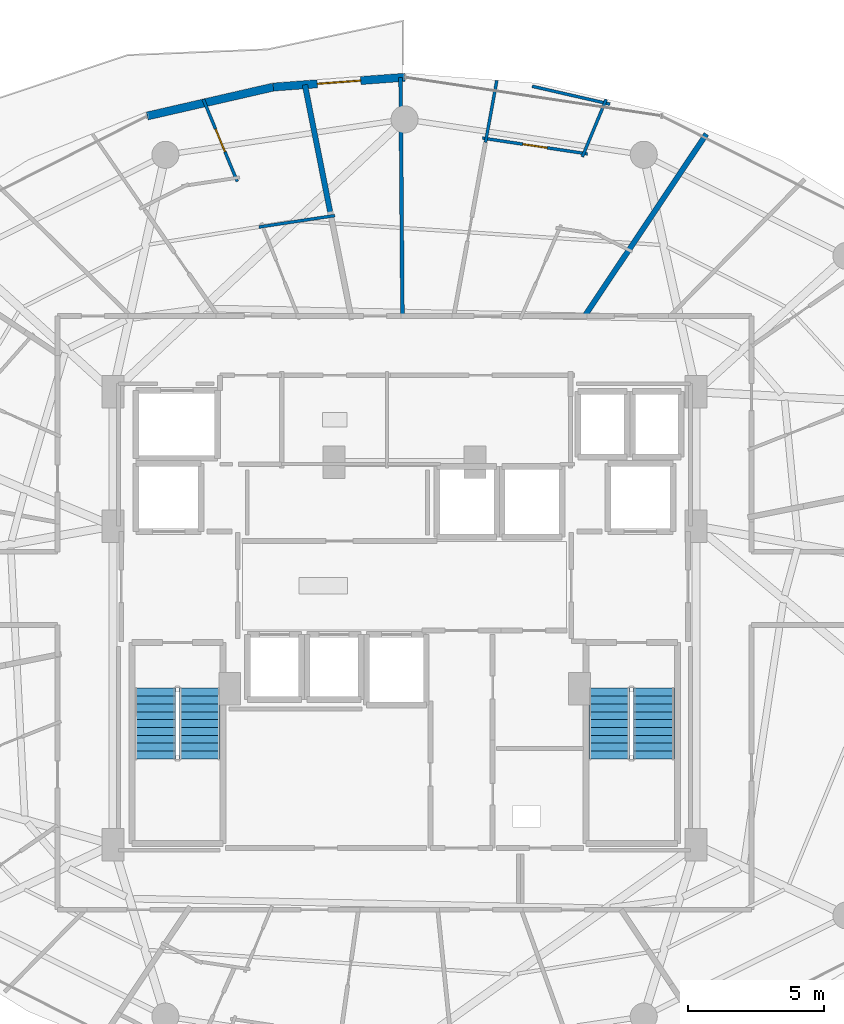
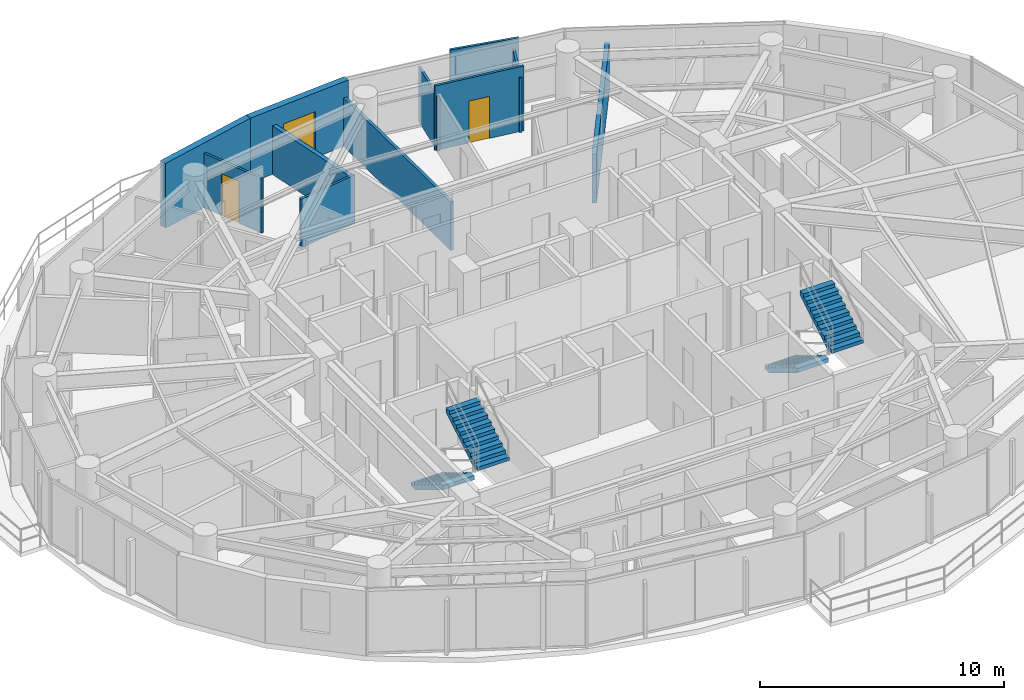
# One storey, part 25 of 29: 11 walls, 4 stair flights, 3 doors, 3 openings, 2 elements without a shape of their own.
"""IFC4 building model written with IfcOpenShell, lengths in metres."""

from ifc_helpers import new_model, si_unit, direction, frame, frame_2d, origin, place, context, subcontext, project, spatial, polyline, rectangle, outline, extrude, material, layer, layer_set, type_object, element, fill, aggregate, save


model = new_model("IFC4")

# Units and contexts
model_context = context("Model", 3, precision=1e-05, world=origin(), true_north=direction((0.0, 1.0)))
body_context = subcontext(model_context, "Body", "Model", "MODEL_VIEW")
ifc_project = project(units=[si_unit("LENGTHUNIT", "METRE"), si_unit("AREAUNIT", "SQUARE_METRE"), si_unit("VOLUMEUNIT", "CUBIC_METRE"), si_unit("PLANEANGLEUNIT", "RADIAN"), si_unit("MASSUNIT", "GRAM", prefix="KILO")], contexts=[model_context])

# Site, building, storey
site_placement = place(None, origin())
site = spatial("IfcSite", under=ifc_project, at=site_placement, CompositionType="ELEMENT")
building_placement = place(site_placement, origin())
building = spatial("IfcBuilding", under=site, at=building_placement, Name="Vorneva Point Tower", CompositionType="ELEMENT")
storey_placement = place(building_placement, frame((0.0, 0.0, 150.10009765625)))
storey = spatial("IfcBuildingStorey", under=building, at=storey_placement, Name="L40", CompositionType="ELEMENT", Elevation=150.10009765625)

# Wall, opening, door
ifc_material_1 = material(Name="Precast concrete B50 (C40/50)", Category="concrete")
ifc_layer_1 = layer(ifc_material_1, 0.300048828125)
ifc_layer_set_1 = layer_set([ifc_layer_1], Name="Precast concrete B50 (C40/50)")
wall_type_1 = type_object("IfcWallType", Name="WL-EXT-300", PredefinedType="STANDARD", material=ifc_layer_set_1)
wall_1_placement = place(storey_placement, frame((38.0, 44.75, 0.0), z_axis=(0.0, 0.0, 1.0), x_axis=(-0.997237740067, -0.074275768499, 0.0)))
wall_1 = element("IfcWall", 1, at=wall_1_placement, inside=storey, type_object=wall_type_1, Name="L40 Pale-Metal Facade Spandrel Wall 05.1", PredefinedType="STANDARD", context=body_context, shape_type="SweptSolid", body=[
    extrude(rectangle(XDim=4.8515625, YDim=0.300048828125, at=frame_2d((2.42578125, 0.0))), origin(), (0.0, 0.0, 1.0), 3.239990234375),
])
opening_1_placement = place(wall_1_placement, frame((1.625732421875, 0.0, 0.0)))
opening_1 = element("IfcOpeningElement", 2, at=opening_1_placement, cuts=wall_1, Name="Opening BD-01", PredefinedType="OPENING", context=body_context, shape_type="SweptSolid", body=[
    extrude(rectangle(XDim=1.60009765625, YDim=2.300048828125, at=frame_2d((0.800048828125, 1.14990234375))), frame((0.0, 0.1650390625, 0.0), z_axis=(0.0, -1.0, 0.0), x_axis=(1.0, 0.0, 0.0)), (0.0, 0.0, 1.0), 0.329833984375),
])
ifc_material_2 = material(Name="Pale anodised aluminium", Category="aluminium")
door_type_1 = type_object("IfcDoorType", Name="DR-BAL-1600", OperationType="SLIDING_TO_LEFT", PredefinedType="DOOR", material=ifc_material_2)
door_1_placement = place(opening_1_placement, origin())
door_1 = element("IfcDoor", 3, at=door_1_placement, inside=storey, type_object=door_type_1, Name="L40 Balcony Terrace Access Door 05", OperationType="SLIDING_TO_LEFT", OverallHeight=2.300048828125, OverallWidth=1.60009765625, PredefinedType="DOOR", context=body_context, shape_type="SweptSolid", body=[
    extrude(rectangle(XDim=1.60009765625, YDim=2.300048828125, at=frame_2d((0.800048828125, 1.14990234375))), frame((0.0, 0.02490234375, 0.0), z_axis=(0.0, -1.0, 0.0), x_axis=(1.0, 0.0, 0.0)), (0.0, 0.0, 1.0), 0.050048828125),
])
fill(opening_1, door_1)

# Walls
wall_2_placement = place(storey_placement, frame((33.161865234375, 44.3896484375, 0.0), z_axis=(0.0, 0.0, 1.0), x_axis=(-0.974698897188, -0.223521944832, 0.0)))
element("IfcWall", 4, at=wall_2_placement, inside=storey, type_object=wall_type_1, Name="L40 Pale-Metal Facade Spandrel Wall 05.2", PredefinedType="STANDARD", context=body_context, shape_type="SweptSolid", body=[
    extrude(rectangle(XDim=4.773193359375, YDim=0.300048828125, at=frame_2d((2.38671875, 0.0))), origin(), (0.0, 0.0, 1.0), 3.239990234375),
])
ifc_material_3 = material(Name="Fire-rated acoustic gypsum stud partition", Category="gypsum")
ifc_layer_2 = layer(ifc_material_3, 0.110107421875)
ifc_layer_set_2 = layer_set([ifc_layer_2], Name="Fire-rated acoustic gypsum stud partition")
wall_type_2 = type_object("IfcWallType", Name="WL-PART-110", PredefinedType="PARTITIONING", material=ifc_layer_set_2)
wall_3_placement = place(storey_placement, frame((45.435546875, 43.934326171875, 0.0), z_axis=(0.0, 0.0, 1.0), x_axis=(-0.383057133185, -0.923724652002, 0.0)))
element("IfcWall", 5, at=wall_3_placement, inside=storey, type_object=wall_type_2, Name="L40 Interior Partition 079", PredefinedType="PARTITIONING", context=body_context, shape_type="SweptSolid", body=[
    extrude(rectangle(XDim=2.29248046875, YDim=0.110107421875, at=frame_2d((1.146240234375, 0.0))), origin(), (0.0, 0.0, 1.0), 2.727783203125),
])

# Wall, opening, door
wall_4_placement = place(storey_placement, frame((44.74951171875, 41.92529296875, 0.0), z_axis=(0.0, 0.0, 1.0), x_axis=(-0.988899781081, 0.148584060306, 0.0)))
wall_4 = element("IfcWall", 6, at=wall_4_placement, inside=storey, type_object=wall_type_2, Name="L40 Interior Partition 080", PredefinedType="PARTITIONING", context=body_context, shape_type="SweptSolid", body=[
    extrude(rectangle(XDim=3.92041015625, YDim=0.110107421875, at=frame_2d((1.960205078125, 0.0))), origin(), (0.0, 0.0, 1.0), 3.239990234375),
])
opening_2_placement = place(wall_4_placement, frame((1.51025390625, 0.0, 0.0)))
opening_2 = element("IfcOpeningElement", 7, at=opening_2_placement, cuts=wall_4, Name="Opening ID-01", PredefinedType="OPENING", context=body_context, shape_type="SweptSolid", body=[
    extrude(rectangle(XDim=0.89990234375, YDim=2.10009765625, at=frame_2d((0.449951171875, 1.050048828125))), frame((0.0, 0.06982421875, 0.0), z_axis=(0.0, -1.0, 0.0), x_axis=(1.0, 0.0, 0.0)), (0.0, 0.0, 1.0), 0.139892578125),
])
ifc_material_4 = material(Name="Engineered oak fire-rated door leaf", Category="wood")
door_type_2 = type_object("IfcDoorType", Name="DR-ROOM-900", OperationType="NOTDEFINED", PredefinedType="DOOR", material=ifc_material_4)
door_2_placement = place(opening_2_placement, origin())
door_2 = element("IfcDoor", 8, at=door_2_placement, inside=storey, type_object=door_type_2, Name="L40 Door Living and Dining Room L40-02 / Kitchen L40-02", OperationType="SINGLE_SWING_LEFT", OverallHeight=2.10009765625, OverallWidth=0.89990234375, PredefinedType="DOOR", context=body_context, shape_type="SweptSolid", body=[
    extrude(rectangle(XDim=0.89990234375, YDim=2.10009765625, at=frame_2d((0.449951171875, 1.050048828125))), frame((0.0, 0.02490234375, 0.0), z_axis=(0.0, -1.0, 0.0), x_axis=(1.0, 0.0, 0.0)), (0.0, 0.0, 1.0), 0.050048828125),
])
fill(opening_2, door_2)

# Walls
wall_5_placement = place(storey_placement, frame((40.98583984375, 42.349365234375, 0.0), z_axis=(0.0, 0.0, 1.0), x_axis=(0.179523238587, 0.983753732805, 0.0)))
element("IfcWall", 9, at=wall_5_placement, inside=storey, type_object=wall_type_2, Name="L40 Interior Partition 081", PredefinedType="PARTITIONING", context=body_context, shape_type="SweptSolid", body=[
    extrude(rectangle(XDim=2.32421875, YDim=0.110107421875, at=frame_2d((1.162109375, 0.0))), origin(), (0.0, 0.0, 1.0), 2.727783203125),
])
wall_6_placement = place(storey_placement, frame((45.576416015625, 43.7607421875, 0.0), z_axis=(0.0, 0.0, 1.0), x_axis=(-0.974642290338, 0.223768643657, 0.0)))
element("IfcWall", 10, at=wall_6_placement, inside=storey, type_object=wall_type_2, Name="L40 Interior Partition 082", PredefinedType="PARTITIONING", context=body_context, shape_type="SweptSolid", body=[
    extrude(rectangle(XDim=2.942626953125, YDim=0.110107421875, at=frame_2d((1.47119140625, 0.0))), origin(), (0.0, 0.0, 1.0), 3.239990234375),
])
wall_7_placement = place(storey_placement, frame((32.630615234375, 39.228271484375, 0.0), z_axis=(0.0, 0.0, 1.0), x_axis=(0.988890718673, 0.148644362566, 0.0)))
element("IfcWall", 11, at=wall_7_placement, inside=storey, type_object=wall_type_2, Name="L40 Interior Partition 088", PredefinedType="PARTITIONING", context=body_context, shape_type="SweptSolid", body=[
    extrude(rectangle(XDim=2.828369140625, YDim=0.110107421875, at=frame_2d((1.4140625, 0.0))), origin(), (0.0, 0.0, 1.0), 2.431884765625),
])

# Wall, opening, door
wall_8_placement = place(storey_placement, frame((30.576416015625, 43.9375, 0.0), z_axis=(0.0, 0.0, 1.0), x_axis=(0.382336453712, -0.924023179451, 0.0)))
wall_8 = element("IfcWall", 12, at=wall_8_placement, inside=storey, type_object=wall_type_2, Name="L40 Interior Partition 089", PredefinedType="PARTITIONING", context=body_context, shape_type="SweptSolid", body=[
    extrude(rectangle(XDim=3.2802734375, YDim=0.110107421875, at=frame_2d((1.64013671875, 0.0))), origin(), (0.0, 0.0, 1.0), 2.727783203125),
])
opening_3_placement = place(wall_8_placement, frame((1.18994140625, 0.0, 0.0)))
opening_3 = element("IfcOpeningElement", 13, at=opening_3_placement, cuts=wall_8, Name="Opening ID-01", PredefinedType="OPENING", context=body_context, shape_type="SweptSolid", body=[
    extrude(rectangle(XDim=0.89990234375, YDim=2.10009765625, at=frame_2d((0.449951171875, 1.050048828125))), frame((0.0, 0.06982421875, 0.0), z_axis=(0.0, -1.0, 0.0), x_axis=(1.0, 0.0, 0.0)), (0.0, 0.0, 1.0), 0.139892578125),
])
door_3_placement = place(opening_3_placement, origin())
door_3 = element("IfcDoor", 14, at=door_3_placement, inside=storey, type_object=door_type_2, Name="L40 Door Living and Dining Room L40-03 / Kitchen L40-03", OperationType="SINGLE_SWING_LEFT", OverallHeight=2.10009765625, OverallWidth=0.89990234375, PredefinedType="DOOR", context=body_context, shape_type="SweptSolid", body=[
    extrude(rectangle(XDim=0.89990234375, YDim=2.10009765625, at=frame_2d((0.449951171875, 1.050048828125))), frame((0.0, 0.02490234375, 0.0), z_axis=(0.0, -1.0, 0.0), x_axis=(1.0, 0.0, 0.0)), (0.0, 0.0, 1.0), 0.050048828125),
])
fill(opening_3, door_3)

# Walls
ifc_layer_3 = layer(ifc_material_3, 0.139892578125)
ifc_layer_set_3 = layer_set([ifc_layer_3], Name="Fire-rated acoustic gypsum stud partition")
wall_type_3 = type_object("IfcWallType", Name="WL-PART-140", PredefinedType="PARTITIONING", material=ifc_layer_set_3)
wall_9_placement = place(storey_placement, frame((37.85302734375, 44.739013671875, 0.0), z_axis=(0.0, 0.0, 1.0), x_axis=(0.007860868226, -0.999969102898, 0.0)))
element("IfcWall", 15, at=wall_9_placement, inside=storey, type_object=wall_type_3, Name="L40 Interior Partition 084", PredefinedType="PARTITIONING", context=body_context, shape_type="SweptSolid", body=[
    extrude(rectangle(XDim=8.789306640625, YDim=0.139892578125, at=frame_2d((4.39453125, 0.0))), origin(), (0.0, 0.0, 1.0), 2.431884765625),
])
ifc_material_5 = material(Name="Autoclaved aerated concrete blockwork", Category="masonry")
ifc_layer_4 = layer(ifc_material_5, 0.199951171875)
ifc_layer_set_4 = layer_set([ifc_layer_4], Name="Autoclaved aerated concrete blockwork")
wall_type_4 = type_object("IfcWallType", Name="WL-PART-200", PredefinedType="PARTITIONING", material=ifc_layer_set_4)
wall_10_placement = place(storey_placement, frame((49.131103515625, 42.658935546875, 0.0), z_axis=(0.0, 0.0, 1.0), x_axis=(-0.555600584712, -0.831449331149, 0.0)))
element("IfcWall", 16, at=wall_10_placement, inside=storey, type_object=wall_type_4, Name="L40 Interior Partition 075", PredefinedType="PARTITIONING", context=body_context, shape_type="SweptSolid", body=[
    extrude(rectangle(XDim=8.069091796875, YDim=0.199951171875, at=frame_2d((4.03466796875, 0.0))), origin(), (0.0, 0.0, 1.0), 2.431884765625),
])
wall_11_placement = place(storey_placement, frame((34.324951171875, 44.47509765625, 0.0), z_axis=(0.0, 0.0, 1.0), x_axis=(0.195054941626, -0.980792317337, 0.0)))
element("IfcWall", 17, at=wall_11_placement, inside=storey, type_object=wall_type_4, Name="L40 Interior Partition 085", PredefinedType="PARTITIONING", context=body_context, shape_type="SweptSolid", body=[
    extrude(rectangle(XDim=4.911376953125, YDim=0.199951171875, at=frame_2d((2.45556640625, 0.0))), origin(), (0.0, 0.0, 1.0), 2.431884765625),
])

# Stair, stair flights
ifc_material_6 = material(Name="Concrete B50 (C40/50)", Category="concrete")
stair_type = type_object("IfcStairType", Name="ST-DOG-1500", PredefinedType="HALF_TURN_STAIR", material=ifc_material_6)
stair_1_placement = place(storey_placement, origin())
stair_1 = element("IfcStair", 18, at=stair_1_placement, inside=storey, type_object=stair_type, Name="L40 ST1", PredefinedType="HALF_TURN_STAIR")
stair_flight_type = type_object("IfcStairFlightType", Name="STF-1500", PredefinedType="STRAIGHT", material=ifc_material_6)
stair_flight_1_placement = place(storey_placement, frame((28.800048828125, 22.219970703125, 0.0), z_axis=(0.0, 0.0, 1.0), x_axis=(0.0, -1.0, 0.0)))
stair_flight_1 = element("IfcStairFlight", 19, at=stair_flight_1_placement, type_object=stair_flight_type, Name="ST1 flight 1", NumberOfRisers=10, NumberOfTreads=9, PredefinedType="STRAIGHT", RiserHeight=0.175, TreadLength=0.29, context=body_context, shape_type="SweptSolid", body=[
    extrude(outline(polyline([(0.0, 0.0), (0.0, 0.175048828125), (0.2900390625, 0.175048828125), (0.2900390625, 0.35009765625), (0.580078125, 0.35009765625), (0.580078125, 0.52490234375), (0.8701171875, 0.52490234375), (0.8701171875, 0.699951171875), (1.159912109375, 0.699951171875), (1.159912109375, 0.875), (1.449951171875, 0.875), (1.449951171875, 1.050048828125), (1.739990234375, 1.050048828125), (1.739990234375, 1.22509765625), (2.030029296875, 1.22509765625), (2.030029296875, 1.39990234375), (2.320068359375, 1.39990234375), (2.320068359375, 1.574951171875), (2.610107421875, 1.574951171875), (2.610107421875, 1.75), (2.610107421875, 1.36474609375), (0.34814453125, 0.0), (0.0, 0.0)])), frame((0.0, 0.75, 0.0), z_axis=(0.0, -1.0, 0.0), x_axis=(1.0, 0.0, 0.0)), (0.0, 0.0, 1.0), 1.5),
])
stair_flight_2_placement = place(storey_placement, frame((30.449951171875, 19.610107421875, 1.75), z_axis=(0.0, 0.0, 1.0), x_axis=(0.0, 1.0, 0.0)))
stair_flight_2 = element("IfcStairFlight", 20, at=stair_flight_2_placement, type_object=stair_flight_type, Name="ST1 flight 2", NumberOfRisers=10, NumberOfTreads=9, PredefinedType="STRAIGHT", RiserHeight=0.175, TreadLength=0.29, context=body_context, shape_type="SweptSolid", body=[
    extrude(outline(polyline([(0.0, 0.0), (0.0, 0.175048828125), (0.2900390625, 0.175048828125), (0.2900390625, 0.35009765625), (0.580078125, 0.35009765625), (0.580078125, 0.52490234375), (0.8701171875, 0.52490234375), (0.8701171875, 0.699951171875), (1.159912109375, 0.699951171875), (1.159912109375, 0.875), (1.449951171875, 0.875), (1.449951171875, 1.050048828125), (1.739990234375, 1.050048828125), (1.739990234375, 1.22509765625), (2.030029296875, 1.22509765625), (2.030029296875, 1.39990234375), (2.320068359375, 1.39990234375), (2.320068359375, 1.574951171875), (2.610107421875, 1.574951171875), (2.610107421875, 1.75), (2.610107421875, 1.36474609375), (0.34814453125, 0.0), (0.0, 0.0)])), frame((0.0, 0.75, 0.0), z_axis=(0.0, -1.0, 0.0), x_axis=(1.0, 0.0, 0.0)), (0.0, 0.0, 1.0), 1.5),
])
aggregate(stair_1, [stair_flight_1, stair_flight_2])

stair_2_placement = place(storey_placement, origin())
stair_2 = element("IfcStair", 21, at=stair_2_placement, inside=storey, type_object=stair_type, Name="L40 ST2", PredefinedType="HALF_TURN_STAIR")
stair_flight_3_placement = place(storey_placement, frame((45.550048828125, 22.219970703125, 0.0), z_axis=(0.0, 0.0, 1.0), x_axis=(0.0, -1.0, 0.0)))
stair_flight_3 = element("IfcStairFlight", 22, at=stair_flight_3_placement, type_object=stair_flight_type, Name="ST2 flight 1", NumberOfRisers=10, NumberOfTreads=9, PredefinedType="STRAIGHT", RiserHeight=0.175, TreadLength=0.29, context=body_context, shape_type="SweptSolid", body=[
    extrude(outline(polyline([(0.0, 0.0), (0.0, 0.175048828125), (0.2900390625, 0.175048828125), (0.2900390625, 0.35009765625), (0.580078125, 0.35009765625), (0.580078125, 0.52490234375), (0.8701171875, 0.52490234375), (0.8701171875, 0.699951171875), (1.159912109375, 0.699951171875), (1.159912109375, 0.875), (1.449951171875, 0.875), (1.449951171875, 1.050048828125), (1.739990234375, 1.050048828125), (1.739990234375, 1.22509765625), (2.030029296875, 1.22509765625), (2.030029296875, 1.39990234375), (2.320068359375, 1.39990234375), (2.320068359375, 1.574951171875), (2.610107421875, 1.574951171875), (2.610107421875, 1.75), (2.610107421875, 1.36474609375), (0.34814453125, 0.0), (0.0, 0.0)])), frame((0.0, 0.75, 0.0), z_axis=(0.0, -1.0, 0.0), x_axis=(1.0, 0.0, 0.0)), (0.0, 0.0, 1.0), 1.5),
])
stair_flight_4_placement = place(storey_placement, frame((47.199951171875, 19.610107421875, 1.75), z_axis=(0.0, 0.0, 1.0), x_axis=(0.0, 1.0, 0.0)))
stair_flight_4 = element("IfcStairFlight", 23, at=stair_flight_4_placement, type_object=stair_flight_type, Name="ST2 flight 2", NumberOfRisers=10, NumberOfTreads=9, PredefinedType="STRAIGHT", RiserHeight=0.175, TreadLength=0.29, context=body_context, shape_type="SweptSolid", body=[
    extrude(outline(polyline([(0.0, 0.0), (0.0, 0.175048828125), (0.2900390625, 0.175048828125), (0.2900390625, 0.35009765625), (0.580078125, 0.35009765625), (0.580078125, 0.52490234375), (0.8701171875, 0.52490234375), (0.8701171875, 0.699951171875), (1.159912109375, 0.699951171875), (1.159912109375, 0.875), (1.449951171875, 0.875), (1.449951171875, 1.050048828125), (1.739990234375, 1.050048828125), (1.739990234375, 1.22509765625), (2.030029296875, 1.22509765625), (2.030029296875, 1.39990234375), (2.320068359375, 1.39990234375), (2.320068359375, 1.574951171875), (2.610107421875, 1.574951171875), (2.610107421875, 1.75), (2.610107421875, 1.36474609375), (0.34814453125, 0.0), (0.0, 0.0)])), frame((0.0, 0.75, 0.0), z_axis=(0.0, -1.0, 0.0), x_axis=(1.0, 0.0, 0.0)), (0.0, 0.0, 1.0), 1.5),
])
aggregate(stair_2, [stair_flight_3, stair_flight_4])

save(model, "model.ifc")
